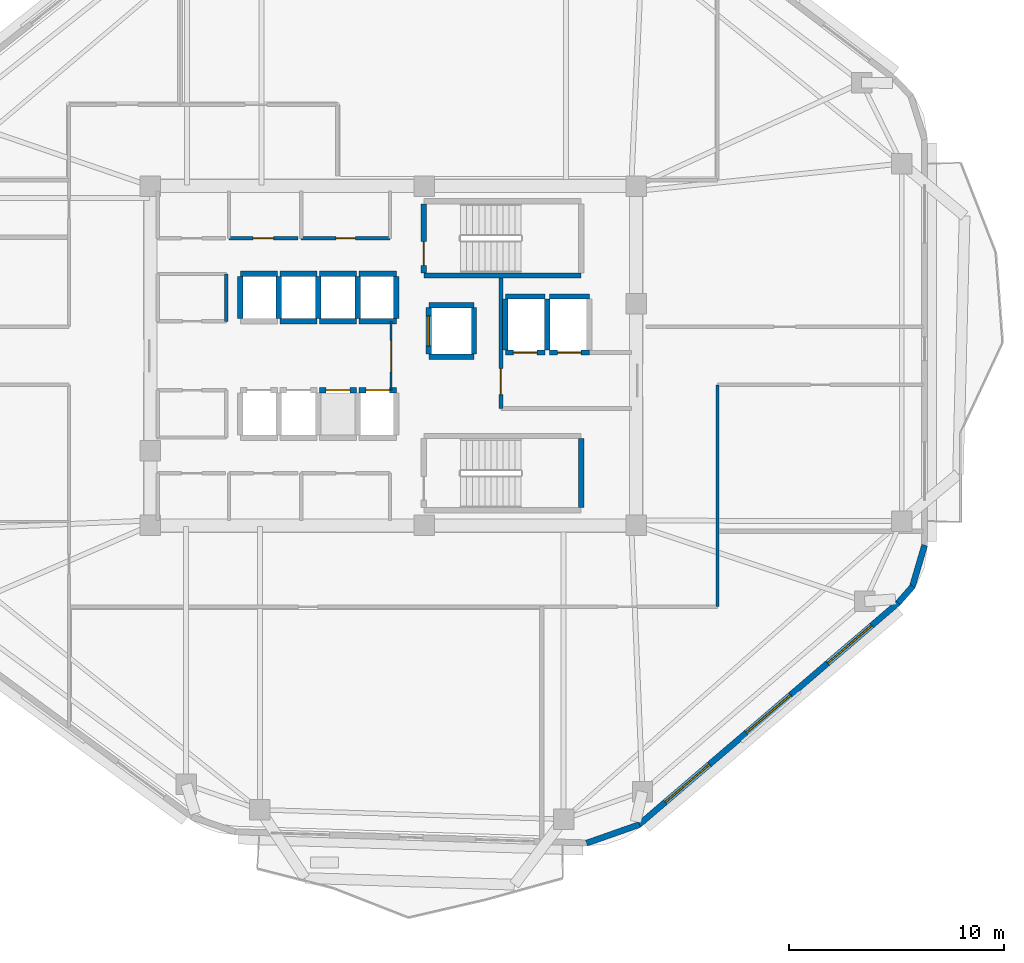
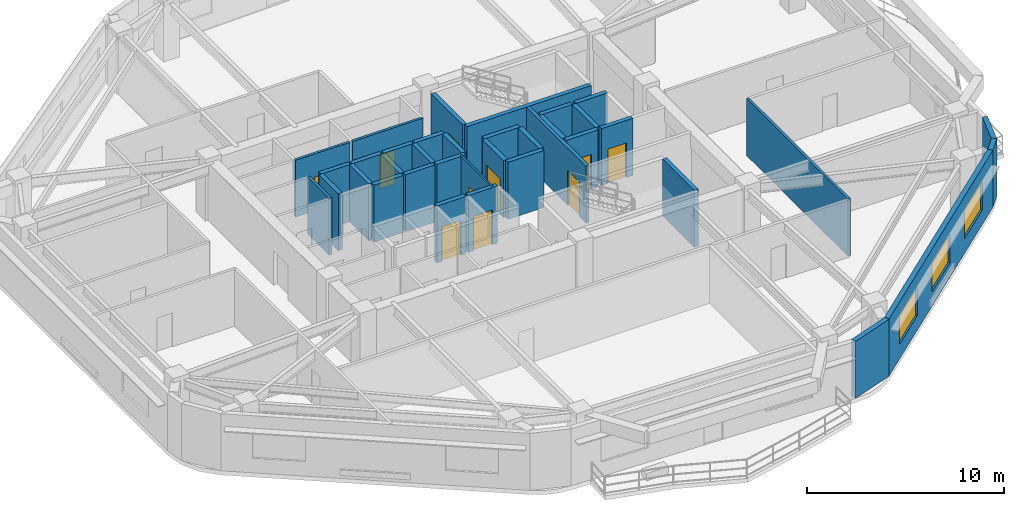
# One storey, part 4 of 9: 37 walls, 10 doors, 3 windows, 13 openings.
"""IFC4 building model written with IfcOpenShell, lengths in metres."""

from ifc_helpers import new_model, si_unit, direction, frame, frame_2d, origin, place, context, subcontext, project, spatial, rectangle, extrude, material, layer, layer_set, type_object, element, fill, save


model = new_model("IFC4")

# Units and contexts
model_context = context("Model", 3, precision=1e-05, world=origin(), true_north=direction((0.0, 1.0)))
body_context = subcontext(model_context, "Body", "Model", "MODEL_VIEW")
ifc_project = project(units=[si_unit("LENGTHUNIT", "METRE"), si_unit("AREAUNIT", "SQUARE_METRE"), si_unit("VOLUMEUNIT", "CUBIC_METRE"), si_unit("PLANEANGLEUNIT", "RADIAN"), si_unit("MASSUNIT", "GRAM", prefix="KILO")], contexts=[model_context])

# Site, building, storey
site_placement = place(None, origin())
site = spatial("IfcSite", under=ifc_project, at=site_placement, CompositionType="ELEMENT")
building_placement = place(site_placement, origin())
building = spatial("IfcBuilding", under=site, at=building_placement, Name="Zulverin Broadcast Headquarters", CompositionType="ELEMENT")
storey_placement = place(building_placement, frame((0.0, 0.0, 159.199951171875)))
storey = spatial("IfcBuildingStorey", under=building, at=storey_placement, Name="L40", CompositionType="ELEMENT", Elevation=159.199951171875)

# Wall, openings, windows
ifc_material_1 = material(Name="Insulated pale-metal clad concrete spandrel C40/50", Category="concrete")
ifc_layer_1 = layer(ifc_material_1, 0.280029296875, Name="Insulated pale-metal clad concrete spandrel C40/50", Category="concrete")
ifc_layer_set_1 = layer_set([ifc_layer_1], Name="Insulated pale-metal clad concrete spandrel C40/50")
wall_type_1 = type_object("IfcWallType", Name="WL-EXT-280", PredefinedType="STANDARD", material=ifc_layer_set_1)
wall_1_placement = place(storey_placement, frame((48.38525390625, 3.413818359375, 0.0), z_axis=(0.0, 0.0, 1.0), x_axis=(0.759700260779, 0.650273414628, 0.0)))
wall_1 = element("IfcWall", 1, at=wall_1_placement, inside=storey, type_object=wall_type_1, Name="L40 Pale-Metal Clad Spandrel Wall 2", PredefinedType="STANDARD", context=body_context, shape_type="SweptSolid", body=[
    extrude(rectangle(XDim=15.880859375, YDim=0.280029296875, at=frame_2d((7.9404296875, 0.0))), origin(), (0.0, 0.0, 1.0), 3.5400390625),
])
opening_1_placement = place(wall_1_placement, frame((1.630126953125, 0.0, 0.89990234375)))
opening_1 = element("IfcOpeningElement", 2, at=opening_1_placement, cuts=wall_1, Name="Opening W-L40-E21", PredefinedType="OPENING", context=body_context, shape_type="SweptSolid", body=[
    extrude(rectangle(XDim=2.699951171875, YDim=1.75, at=frame_2d((1.35009765625, 0.875))), frame((0.0, 0.14990234375, 0.0), z_axis=(0.0, -1.0, 0.0), x_axis=(1.0, 0.0, 0.0)), (0.0, 0.0, 1.0), 0.300048828125),
])
opening_2_placement = place(wall_1_placement, frame((6.59033203125, 0.0, 0.89990234375)))
opening_2 = element("IfcOpeningElement", 3, at=opening_2_placement, cuts=wall_1, Name="Opening W-L40-E22", PredefinedType="OPENING", context=body_context, shape_type="SweptSolid", body=[
    extrude(rectangle(XDim=2.699951171875, YDim=1.75, at=frame_2d((1.35009765625, 0.875))), frame((0.0, 0.14990234375, 0.0), z_axis=(0.0, -1.0, 0.0), x_axis=(1.0, 0.0, 0.0)), (0.0, 0.0, 1.0), 0.300048828125),
])
opening_3_placement = place(wall_1_placement, frame((11.55078125, 0.0, 0.89990234375)))
opening_3 = element("IfcOpeningElement", 4, at=opening_3_placement, cuts=wall_1, Name="Opening W-L40-E23", PredefinedType="OPENING", context=body_context, shape_type="SweptSolid", body=[
    extrude(rectangle(XDim=2.699951171875, YDim=1.75, at=frame_2d((1.35009765625, 0.875))), frame((0.0, 0.14990234375, 0.0), z_axis=(0.0, -1.0, 0.0), x_axis=(1.0, 0.0, 0.0)), (0.0, 0.0, 1.0), 0.300048828125),
])
ifc_material_2 = material(Name="Pale anodized aluminium frame with solar-control low-E double glazing", Category="aluminium")
window_type = type_object("IfcWindowType", Name="WIN-TWR-2700", PartitioningType="SINGLE_PANEL", PredefinedType="WINDOW", material=ifc_material_2)
window_1_placement = place(opening_1_placement, origin())
window_1 = element("IfcWindow", 5, at=window_1_placement, inside=storey, type_object=window_type, Name="L40 Ribbon Glazing Window 2 1", OverallHeight=1.75, OverallWidth=2.699951171875, PartitioningType="SINGLE_PANEL", PredefinedType="WINDOW", context=body_context, shape_type="SweptSolid", body=[
    extrude(rectangle(XDim=2.699951171875, YDim=1.75, at=frame_2d((1.35009765625, 0.875))), frame((0.0, 0.030029296875, 0.0), z_axis=(0.0, -1.0, 0.0), x_axis=(1.0, 0.0, 0.0)), (0.0, 0.0, 1.0), 0.06005859375),
])
fill(opening_1, window_1)
window_2_placement = place(opening_2_placement, origin())
window_2 = element("IfcWindow", 6, at=window_2_placement, inside=storey, type_object=window_type, Name="L40 Ribbon Glazing Window 2 2", OverallHeight=1.75, OverallWidth=2.699951171875, PartitioningType="SINGLE_PANEL", PredefinedType="WINDOW", context=body_context, shape_type="SweptSolid", body=[
    extrude(rectangle(XDim=2.699951171875, YDim=1.75, at=frame_2d((1.35009765625, 0.875))), frame((0.0, 0.030029296875, 0.0), z_axis=(0.0, -1.0, 0.0), x_axis=(1.0, 0.0, 0.0)), (0.0, 0.0, 1.0), 0.06005859375),
])
fill(opening_2, window_2)
window_3_placement = place(opening_3_placement, origin())
window_3 = element("IfcWindow", 7, at=window_3_placement, inside=storey, type_object=window_type, Name="L40 Ribbon Glazing Window 2 3", OverallHeight=1.75, OverallWidth=2.699951171875, PartitioningType="SINGLE_PANEL", PredefinedType="WINDOW", context=body_context, shape_type="SweptSolid", body=[
    extrude(rectangle(XDim=2.699951171875, YDim=1.75, at=frame_2d((1.35009765625, 0.875))), frame((0.0, 0.030029296875, 0.0), z_axis=(0.0, -1.0, 0.0), x_axis=(1.0, 0.0, 0.0)), (0.0, 0.0, 1.0), 0.06005859375),
])
fill(opening_3, window_3)

# Walls
wall_2_placement = place(storey_placement, frame((45.974609375, 2.576416015625, 0.0), z_axis=(0.0, 0.0, 1.0), x_axis=(0.943377643365, 0.331720698781, 0.0)))
element("IfcWall", 8, at=wall_2_placement, inside=storey, type_object=wall_type_1, Name="L40 Wind-Shaped Corner Spandrel Wall 1-1", PredefinedType="STANDARD", context=body_context, shape_type="SweptSolid", body=[
    extrude(rectangle(XDim=2.6025390625, YDim=0.280029296875, at=frame_2d((1.30126953125, 0.0))), origin(), (0.0, 0.0, 1.0), 3.5400390625),
])
wall_3_placement = place(storey_placement, frame((60.435791015625, 13.7265625, 0.0), z_axis=(0.0, 0.0, 1.0), x_axis=(0.658571618609, 0.752518055041, 0.0)))
element("IfcWall", 9, at=wall_3_placement, inside=storey, type_object=wall_type_1, Name="L40 Wind-Shaped Corner Spandrel Wall 2-1", PredefinedType="STANDARD", context=body_context, shape_type="SweptSolid", body=[
    extrude(rectangle(XDim=1.03173828125, YDim=0.280029296875, at=frame_2d((0.515869140625, 0.0))), origin(), (0.0, 0.0, 1.0), 3.5400390625),
])
wall_4_placement = place(storey_placement, frame((61.08642578125, 14.450439453125, 0.0), z_axis=(0.0, 0.0, 1.0), x_axis=(0.283660953453, 0.958924639107, 0.0)))
element("IfcWall", 10, at=wall_4_placement, inside=storey, type_object=wall_type_1, Name="L40 Wind-Shaped Corner Spandrel Wall 2-2", PredefinedType="STANDARD", context=body_context, shape_type="SweptSolid", body=[
    extrude(rectangle(XDim=2.04248046875, YDim=0.280029296875, at=frame_2d((1.021240234375, 0.0))), origin(), (0.0, 0.0, 1.0), 3.5400390625),
])

# Wall, opening, door
ifc_material_3 = material(Name="Concrete C40/50", Category="concrete")
ifc_layer_2 = layer(ifc_material_3, 0.199951171875, Name="Concrete C40/50", Category="concrete")
ifc_layer_set_2 = layer_set([ifc_layer_2], Name="Concrete C40/50")
wall_type_2 = type_object("IfcWallType", Name="WL-FFL-200", PredefinedType="SOLIDWALL", material=ifc_layer_set_2)
wall_5_placement = place(storey_placement, frame((42.0, 22.75, 0.0), z_axis=(0.0, 0.0, 1.0), x_axis=(0.0, 1.0, 0.0)))
wall_5 = element("IfcWall", 11, at=wall_5_placement, inside=storey, type_object=wall_type_2, Name="L40 Firefighting Lift Lobby West Wall", PredefinedType="SOLIDWALL", context=body_context, shape_type="SweptSolid", body=[
    extrude(rectangle(XDim=6.050048828125, YDim=0.199951171875, at=frame_2d((3.02490234375, 0.0))), origin(), (0.0, 0.0, 1.0), 3.5400390625),
])
opening_4_placement = place(wall_5_placement, frame((0.64990234375, 0.0, 0.0)))
opening_4 = element("IfcOpeningElement", 12, at=opening_4_placement, cuts=wall_5, Name="Opening D-L40-FFLW", PredefinedType="OPENING", context=body_context, shape_type="SweptSolid", body=[
    extrude(rectangle(XDim=1.199951171875, YDim=2.14990234375, at=frame_2d((0.60009765625, 1.074951171875))), frame((0.0, 0.10986328125, 0.0), z_axis=(0.0, -1.0, 0.0), x_axis=(1.0, 0.0, 0.0)), (0.0, 0.0, 1.0), 0.219970703125),
])
ifc_material_4 = material(Name="Fire-rated steel leaf and frame", Category="steel")
door_type_1 = type_object("IfcDoorType", Name="DR-FFL-1200", OperationType="SINGLE_SWING_RIGHT", PredefinedType="DOOR", material=ifc_material_4)
door_1_placement = place(opening_4_placement, origin())
door_1 = element("IfcDoor", 13, at=door_1_placement, inside=storey, type_object=door_type_1, Name="L40 Firefighting Lift Lobby Door", OperationType="SINGLE_SWING_RIGHT", OverallHeight=2.14990234375, OverallWidth=1.199951171875, PredefinedType="DOOR", context=body_context, shape_type="SweptSolid", body=[
    extrude(rectangle(XDim=1.199951171875, YDim=2.14990234375, at=frame_2d((0.60009765625, 1.074951171875))), frame((0.0, 0.02490234375, 0.0), z_axis=(0.0, -1.0, 0.0), x_axis=(1.0, 0.0, 0.0)), (0.0, 0.0, 1.0), 0.050048828125),
])
fill(opening_4, door_1)

ifc_material_5 = material(Name="Fire-rated acoustic laminated glass screen", Category="glass")
ifc_layer_3 = layer(ifc_material_5, 0.10009765625, Name="Fire-rated acoustic laminated glass screen", Category="glass")
ifc_layer_set_3 = layer_set([ifc_layer_3], Name="Fire-rated acoustic laminated glass screen")
wall_type_3 = type_object("IfcWallType", Name="WL-GLAZ-100", PredefinedType="PARTITIONING", material=ifc_layer_set_3)
wall_6_placement = place(storey_placement, frame((36.89990234375, 23.60009765625, 0.0), z_axis=(0.0, 0.0, 1.0), x_axis=(0.0, 1.0, 0.0)))
wall_6 = element("IfcWall", 14, at=wall_6_placement, inside=storey, type_object=wall_type_3, Name="L40 Core Goods & Stair Hall Screen", PredefinedType="PARTITIONING", context=body_context, shape_type="SweptSolid", body=[
    extrude(rectangle(XDim=3.199951171875, YDim=0.10009765625, at=frame_2d((1.60009765625, 0.0))), origin(), (0.0, 0.0, 1.0), 3.5400390625),
])
opening_5_placement = place(wall_6_placement, frame((0.85009765625, 0.0, 0.0)))
opening_5 = element("IfcOpeningElement", 15, at=opening_5_placement, cuts=wall_6, Name="Opening D-L40-CL3", PredefinedType="OPENING", context=body_context, shape_type="SweptSolid", body=[
    extrude(rectangle(XDim=1.449951171875, YDim=2.1201171875, at=frame_2d((0.72509765625, 1.06005859375))), frame((0.0, 0.06005859375, 0.0), z_axis=(0.0, -1.0, 0.0), x_axis=(1.0, 0.0, 0.0)), (0.0, 0.0, 1.0), 0.1201171875),
])
ifc_material_6 = material(Name="Fire-rated acoustic glazed double leaf", Category="glass")
door_type_2 = type_object("IfcDoorType", Name="DR-GLZ-1450", OperationType="DOUBLE_DOOR_SINGLE_SWING", PredefinedType="DOOR", material=ifc_material_6)
door_2_placement = place(opening_5_placement, origin())
door_2 = element("IfcDoor", 16, at=door_2_placement, inside=storey, type_object=door_type_2, Name="L40 Core Goods & Stair Hall Door", OperationType="DOUBLE_DOOR_SINGLE_SWING", OverallHeight=2.1201171875, OverallWidth=1.449951171875, PredefinedType="DOOR", context=body_context, shape_type="SweptSolid", body=[
    extrude(rectangle(XDim=1.449951171875, YDim=2.1201171875, at=frame_2d((0.72509765625, 1.06005859375))), frame((0.0, 0.02490234375, 0.0), z_axis=(0.0, -1.0, 0.0), x_axis=(1.0, 0.0, 0.0)), (0.0, 0.0, 1.0), 0.050048828125),
])
fill(opening_5, door_2)

ifc_material_7 = material(Name="Fire-rated gypsum stud partition", Category="gypsum")
ifc_layer_4 = layer(ifc_material_7, 0.14990234375, Name="Fire-rated gypsum stud partition", Category="gypsum")
ifc_layer_set_4 = layer_set([ifc_layer_4], Name="Fire-rated gypsum stud partition")
wall_type_4 = type_object("IfcWallType", Name="WL-PART-150", PredefinedType="PARTITIONING", material=ifc_layer_set_4)
wall_7_placement = place(storey_placement, frame((29.3798828125, 30.64990234375, 0.0), z_axis=(0.0, 0.0, 1.0), x_axis=(1.0, 0.0, 0.0)))
wall_7 = element("IfcWall", 17, at=wall_7_placement, inside=storey, type_object=wall_type_4, Name="L40 Core Accessible WC Front Wall", PredefinedType="PARTITIONING", context=body_context, shape_type="SweptSolid", body=[
    extrude(rectangle(XDim=3.190185546875, YDim=0.14990234375, at=frame_2d((1.59521484375, 0.0))), origin(), (0.0, 0.0, 1.0), 3.5400390625),
])
opening_6_placement = place(wall_7_placement, frame((1.1201171875, 0.0, 0.0)))
opening_6 = element("IfcOpeningElement", 18, at=opening_6_placement, cuts=wall_7, Name="Opening D-L40-NC2", PredefinedType="OPENING", context=body_context, shape_type="SweptSolid", body=[
    extrude(rectangle(XDim=0.949951171875, YDim=2.10009765625, at=frame_2d((0.47509765625, 1.050048828125))), frame((0.0, 0.0849609375, 0.0), z_axis=(0.0, -1.0, 0.0), x_axis=(1.0, 0.0, 0.0)), (0.0, 0.0, 1.0), 0.169921875),
])
ifc_material_8 = material(Name="Fire-rated moisture-resistant laminate leaf", Category="wood")
door_type_3 = type_object("IfcDoorType", Name="DR-WC-950", OperationType="SINGLE_SWING_LEFT", PredefinedType="DOOR", material=ifc_material_8)
door_3_placement = place(opening_6_placement, origin())
door_3 = element("IfcDoor", 19, at=door_3_placement, inside=storey, type_object=door_type_3, Name="L40 Accessible WC Door", OperationType="SINGLE_SWING_RIGHT", OverallHeight=2.10009765625, OverallWidth=0.949951171875, PredefinedType="DOOR", context=body_context, shape_type="SweptSolid", body=[
    extrude(rectangle(XDim=0.949951171875, YDim=2.10009765625, at=frame_2d((0.47509765625, 1.050048828125))), frame((0.0, 0.02490234375, 0.0), z_axis=(0.0, -1.0, 0.0), x_axis=(1.0, 0.0, 0.0)), (0.0, 0.0, 1.0), 0.050048828125),
])
fill(opening_6, door_3)

wall_8_placement = place(storey_placement, frame((32.72998046875, 30.64990234375, 0.0), z_axis=(0.0, 0.0, 1.0), x_axis=(1.0, 0.0, 0.0)))
wall_8 = element("IfcWall", 20, at=wall_8_placement, inside=storey, type_object=wall_type_4, Name="L40 Core Electrical Distribution Riser Front Wall", PredefinedType="PARTITIONING", context=body_context, shape_type="SweptSolid", body=[
    extrude(rectangle(XDim=4.1201171875, YDim=0.14990234375, at=frame_2d((2.06005859375, 0.0))), origin(), (0.0, 0.0, 1.0), 3.5400390625),
])
opening_7_placement = place(wall_8_placement, frame((1.610107421875, 0.0, 0.0)))
opening_7 = element("IfcOpeningElement", 21, at=opening_7_placement, cuts=wall_8, Name="Opening D-L40-NC3", PredefinedType="OPENING", context=body_context, shape_type="SweptSolid", body=[
    extrude(rectangle(XDim=0.89990234375, YDim=2.10009765625, at=frame_2d((0.449951171875, 1.050048828125))), frame((0.0, 0.0849609375, 0.0), z_axis=(0.0, -1.0, 0.0), x_axis=(1.0, 0.0, 0.0)), (0.0, 0.0, 1.0), 0.169921875),
])
ifc_material_9 = material(Name="Powder-coated steel access leaf", Category="steel")
door_type_4 = type_object("IfcDoorType", Name="DR-RISER-900", OperationType="SINGLE_SWING_LEFT", PredefinedType="DOOR", material=ifc_material_9)
door_4_placement = place(opening_7_placement, origin())
door_4 = element("IfcDoor", 22, at=door_4_placement, inside=storey, type_object=door_type_4, Name="L40 Electrical Distribution Riser Door", OperationType="SINGLE_SWING_LEFT", OverallHeight=2.10009765625, OverallWidth=0.89990234375, PredefinedType="DOOR", context=body_context, shape_type="SweptSolid", body=[
    extrude(rectangle(XDim=0.89990234375, YDim=2.10009765625, at=frame_2d((0.449951171875, 1.050048828125))), frame((0.0, 0.02490234375, 0.0), z_axis=(0.0, -1.0, 0.0), x_axis=(1.0, 0.0, 0.0)), (0.0, 0.0, 1.0), 0.050048828125),
])
fill(opening_7, door_4)

# Walls
wall_9_placement = place(storey_placement, frame((29.25, 26.800048828125, 0.0), z_axis=(0.0, 0.0, 1.0), x_axis=(0.0, 1.0, 0.0)))
element("IfcWall", 23, at=wall_9_placement, inside=storey, type_object=wall_type_4, Name="L40 Core UPS Battery Store E Wall", PredefinedType="PARTITIONING", context=body_context, shape_type="SweptSolid", body=[
    extrude(rectangle(XDim=2.199951171875, YDim=0.14990234375, at=frame_2d((1.10009765625, 0.0))), origin(), (0.0, 0.0, 1.0), 3.5400390625),
])
wall_10_placement = place(storey_placement, frame((52.050048828125, 13.550048828125, 0.0), z_axis=(0.0, 0.0, 1.0), x_axis=(0.0, 1.0, 0.0)))
element("IfcWall", 24, at=wall_10_placement, inside=storey, type_object=wall_type_4, Name="L40 Gallery Partition Wall CG-01", PredefinedType="PARTITIONING", context=body_context, shape_type="SweptSolid", body=[
    extrude(rectangle(XDim=10.300048828125, YDim=0.14990234375, at=frame_2d((5.14990234375, 0.0))), origin(), (0.0, 0.0, 1.0), 3.5400390625),
])
ifc_material_10 = material(Name="Concrete C50/60", Category="concrete")
ifc_layer_5 = layer(ifc_material_10, 0.25, Name="Concrete C50/60", Category="concrete")
ifc_layer_set_5 = layer_set([ifc_layer_5], Name="Concrete C50/60")
wall_type_5 = type_object("IfcWallType", Name="WL-SHAFT-250", PredefinedType="SHEAR", material=ifc_layer_set_5)
wall_11_placement = place(storey_placement, frame((38.425048828125, 28.925048828125, 0.0), z_axis=(0.0, 0.0, 1.0), x_axis=(1.0, 0.0, 0.0)))
element("IfcWall", 25, at=wall_11_placement, inside=storey, type_object=wall_type_5, Name="L40 ST-1 Enclosure Wall S", PredefinedType="SHEAR", context=body_context, shape_type="SweptSolid", body=[
    extrude(rectangle(XDim=7.300048828125, YDim=0.25, at=frame_2d((3.64990234375, 0.0))), origin(), (0.0, 0.0, 1.0), 3.5400390625),
])

# Wall, opening, door
wall_12_placement = place(storey_placement, frame((38.425048828125, 29.050048828125, 0.0), z_axis=(0.0, 0.0, 1.0), x_axis=(0.0, 1.0, 0.0)))
wall_12 = element("IfcWall", 26, at=wall_12_placement, inside=storey, type_object=wall_type_5, Name="L40 ST-1 Enclosure Wall W", PredefinedType="SHEAR", context=body_context, shape_type="SweptSolid", body=[
    extrude(rectangle(XDim=3.199951171875, YDim=0.25, at=frame_2d((1.60009765625, 0.0))), origin(), (0.0, 0.0, 1.0), 3.5400390625),
])
opening_8_placement = place(wall_12_placement, frame((0.35009765625, 0.0, 0.0)))
opening_8 = element("IfcOpeningElement", 27, at=opening_8_placement, cuts=wall_12, Name="Opening D-L40-ST-1", PredefinedType="OPENING", context=body_context, shape_type="SweptSolid", body=[
    extrude(rectangle(XDim=1.10009765625, YDim=2.14990234375, at=frame_2d((0.550048828125, 1.074951171875))), frame((0.0, 0.135009765625, 0.0), z_axis=(0.0, -1.0, 0.0), x_axis=(1.0, 0.0, 0.0)), (0.0, 0.0, 1.0), 0.27001953125),
])
door_type_5 = type_object("IfcDoorType", Name="DR-STAIR-1100", OperationType="SINGLE_SWING_LEFT", PredefinedType="DOOR", material=ifc_material_4)
door_5_placement = place(opening_8_placement, origin())
door_5 = element("IfcDoor", 28, at=door_5_placement, inside=storey, type_object=door_type_5, Name="L40 Exit Stair ST-1 Fire Door", OperationType="SINGLE_SWING_LEFT", OverallHeight=2.14990234375, OverallWidth=1.10009765625, PredefinedType="DOOR", context=body_context, shape_type="SweptSolid", body=[
    extrude(rectangle(XDim=1.10009765625, YDim=2.14990234375, at=frame_2d((0.550048828125, 1.074951171875))), frame((0.0, 0.02490234375, 0.0), z_axis=(0.0, -1.0, 0.0), x_axis=(1.0, 0.0, 0.0)), (0.0, 0.0, 1.0), 0.050048828125),
])
fill(opening_8, door_5)

# Wall
wall_13_placement = place(storey_placement, frame((45.72509765625, 18.14990234375, 0.0), z_axis=(0.0, 0.0, 1.0), x_axis=(0.0, 1.0, 0.0)))
element("IfcWall", 29, at=wall_13_placement, inside=storey, type_object=wall_type_5, Name="L40 ST-2 Enclosure Wall E", PredefinedType="SHEAR", context=body_context, shape_type="SweptSolid", body=[
    extrude(rectangle(XDim=3.2001953125, YDim=0.25, at=frame_2d((1.60009765625, 0.0))), origin(), (0.0, 0.0, 1.0), 3.5400390625),
])

# Wall, opening, door
wall_14_placement = place(storey_placement, frame((33.580078125, 23.60009765625, 0.0), z_axis=(0.0, 0.0, 1.0), x_axis=(1.0, 0.0, 0.0)))
wall_14 = element("IfcWall", 30, at=wall_14_placement, inside=storey, type_object=wall_type_5, Name="L40 Lift PL-M3 Shaft Wall N", PredefinedType="SHEAR", context=body_context, shape_type="SweptSolid", body=[
    extrude(rectangle(XDim=1.719970703125, YDim=0.25, at=frame_2d((0.85986328125, 0.0))), origin(), (0.0, 0.0, 1.0), 3.5400390625),
])
opening_9_placement = place(wall_14_placement, frame((0.31005859375, 0.0, 0.0)))
opening_9 = element("IfcOpeningElement", 31, at=opening_9_placement, cuts=wall_14, Name="Opening LD-PL-M3-L40", PredefinedType="OPENING", context=body_context, shape_type="SweptSolid", body=[
    extrude(rectangle(XDim=1.10009765625, YDim=2.14990234375, at=frame_2d((0.550048828125, 1.074951171875))), frame((0.0, 0.135009765625, 0.0), z_axis=(0.0, -1.0, 0.0), x_axis=(1.0, 0.0, 0.0)), (0.0, 0.0, 1.0), 0.27001953125),
])
ifc_material_11 = material(Name="Brushed stainless steel landing", Category="steel")
door_type_6 = type_object("IfcDoorType", Name="LD-PASS-1100", OperationType="DOUBLE_DOOR_SLIDING", PredefinedType="DOOR", material=ifc_material_11)
door_6_placement = place(opening_9_placement, origin())
door_6 = element("IfcDoor", 32, at=door_6_placement, inside=storey, type_object=door_type_6, Name="L40 Lift PL-M3 Sliding Landing Door", OperationType="DOUBLE_DOOR_SLIDING", OverallHeight=2.14990234375, OverallWidth=1.10009765625, PredefinedType="DOOR", context=body_context, shape_type="SweptSolid", body=[
    extrude(rectangle(XDim=1.10009765625, YDim=2.14990234375, at=frame_2d((0.550048828125, 1.074951171875))), frame((0.0, 0.02490234375, 0.0), z_axis=(0.0, -1.0, 0.0), x_axis=(1.0, 0.0, 0.0)), (0.0, 0.0, 1.0), 0.050048828125),
])
fill(opening_9, door_6)

wall_15_placement = place(storey_placement, frame((35.419921875, 23.60009765625, 0.0), z_axis=(0.0, 0.0, 1.0), x_axis=(1.0, 0.0, 0.0)))
wall_15 = element("IfcWall", 33, at=wall_15_placement, inside=storey, type_object=wall_type_5, Name="L40 Lift PL-M4 Shaft Wall N", PredefinedType="SHEAR", context=body_context, shape_type="SweptSolid", body=[
    extrude(rectangle(XDim=1.719970703125, YDim=0.25, at=frame_2d((0.85986328125, 0.0))), origin(), (0.0, 0.0, 1.0), 3.5400390625),
])
opening_10_placement = place(wall_15_placement, frame((0.31005859375, 0.0, 0.0)))
opening_10 = element("IfcOpeningElement", 34, at=opening_10_placement, cuts=wall_15, Name="Opening LD-PL-M4-L40", PredefinedType="OPENING", context=body_context, shape_type="SweptSolid", body=[
    extrude(rectangle(XDim=1.10009765625, YDim=2.14990234375, at=frame_2d((0.550048828125, 1.074951171875))), frame((0.0, 0.135009765625, 0.0), z_axis=(0.0, -1.0, 0.0), x_axis=(1.0, 0.0, 0.0)), (0.0, 0.0, 1.0), 0.27001953125),
])
door_7_placement = place(opening_10_placement, origin())
door_7 = element("IfcDoor", 35, at=door_7_placement, inside=storey, type_object=door_type_6, Name="L40 Lift PL-M4 Sliding Landing Door", OperationType="DOUBLE_DOOR_SLIDING", OverallHeight=2.14990234375, OverallWidth=1.10009765625, PredefinedType="DOOR", context=body_context, shape_type="SweptSolid", body=[
    extrude(rectangle(XDim=1.10009765625, YDim=2.14990234375, at=frame_2d((0.550048828125, 1.074951171875))), frame((0.0, 0.02490234375, 0.0), z_axis=(0.0, -1.0, 0.0), x_axis=(1.0, 0.0, 0.0)), (0.0, 0.0, 1.0), 0.050048828125),
])
fill(opening_10, door_7)

# Walls
wall_16_placement = place(storey_placement, frame((29.89990234375, 29.0, 0.0), z_axis=(0.0, 0.0, 1.0), x_axis=(1.0, 0.0, 0.0)))
element("IfcWall", 36, at=wall_16_placement, inside=storey, type_object=wall_type_5, Name="L40 Lift PL-H1 Shaft Wall N", PredefinedType="SHEAR", context=body_context, shape_type="SweptSolid", body=[
    extrude(rectangle(XDim=1.72021484375, YDim=0.25, at=frame_2d((0.860107421875, 0.0))), origin(), (0.0, 0.0, 1.0), 3.5400390625),
])
for number, where, z_axis, x_axis, name in (
    (37, (29.89990234375, 26.919921875, 0.0), (0.0, 0.0, 1.0), (0.0, 1.0, 0.0), "L40 Lift PL-H1 Shaft Wall W"),
    (38, (31.679931640625, 26.919921875, 0.0), (0.0, 0.0, 1.0), (0.0, 1.0, 0.0), "L40 Lift PL-H1 Shaft Wall E"),
):
    element("IfcWall", number, at=place(storey_placement, frame(where, z_axis=z_axis, x_axis=x_axis)), inside=storey, type_object=wall_type_5, Name=name, PredefinedType="SHEAR", context=body_context, shape_type="SweptSolid", body=[
        extrude(rectangle(XDim=1.9599609375, YDim=0.25, at=frame_2d((0.97998046875, 0.0))), origin(), (0.0, 0.0, 1.0), 3.5400390625),
    ])
for number, where, z_axis, x_axis, name in (
    (39, (31.739990234375, 26.800048828125, 0.0), (0.0, 0.0, 1.0), (1.0, 0.0, 0.0), "L40 Lift PL-H2 Shaft Wall S"),
    (40, (31.739990234375, 29.0, 0.0), (0.0, 0.0, 1.0), (1.0, 0.0, 0.0), "L40 Lift PL-H2 Shaft Wall N"),
):
    element("IfcWall", number, at=place(storey_placement, frame(where, z_axis=z_axis, x_axis=x_axis)), inside=storey, type_object=wall_type_5, Name=name, PredefinedType="SHEAR", context=body_context, shape_type="SweptSolid", body=[
        extrude(rectangle(XDim=1.719970703125, YDim=0.25, at=frame_2d((0.85986328125, 0.0))), origin(), (0.0, 0.0, 1.0), 3.5400390625),
    ])
wall_17_placement = place(storey_placement, frame((33.52001953125, 26.919921875, 0.0), z_axis=(0.0, 0.0, 1.0), x_axis=(0.0, 1.0, 0.0)))
element("IfcWall", 41, at=wall_17_placement, inside=storey, type_object=wall_type_5, Name="L40 Lift PL-H2 Shaft Wall E", PredefinedType="SHEAR", context=body_context, shape_type="SweptSolid", body=[
    extrude(rectangle(XDim=1.9599609375, YDim=0.25, at=frame_2d((0.97998046875, 0.0))), origin(), (0.0, 0.0, 1.0), 3.5400390625),
])
for number, where, z_axis, x_axis, name in (
    (42, (33.580078125, 26.800048828125, 0.0), (0.0, 0.0, 1.0), (1.0, 0.0, 0.0), "L40 Lift PL-H3 Shaft Wall S"),
    (43, (33.580078125, 29.0, 0.0), (0.0, 0.0, 1.0), (1.0, 0.0, 0.0), "L40 Lift PL-H3 Shaft Wall N"),
):
    element("IfcWall", number, at=place(storey_placement, frame(where, z_axis=z_axis, x_axis=x_axis)), inside=storey, type_object=wall_type_5, Name=name, PredefinedType="SHEAR", context=body_context, shape_type="SweptSolid", body=[
        extrude(rectangle(XDim=1.719970703125, YDim=0.25, at=frame_2d((0.85986328125, 0.0))), origin(), (0.0, 0.0, 1.0), 3.5400390625),
    ])
wall_18_placement = place(storey_placement, frame((35.360107421875, 26.919921875, 0.0), z_axis=(0.0, 0.0, 1.0), x_axis=(0.0, 1.0, 0.0)))
element("IfcWall", 44, at=wall_18_placement, inside=storey, type_object=wall_type_5, Name="L40 Lift PL-H3 Shaft Wall E", PredefinedType="SHEAR", context=body_context, shape_type="SweptSolid", body=[
    extrude(rectangle(XDim=1.9599609375, YDim=0.25, at=frame_2d((0.97998046875, 0.0))), origin(), (0.0, 0.0, 1.0), 3.5400390625),
])
for number, where, z_axis, x_axis, name in (
    (45, (35.419921875, 26.800048828125, 0.0), (0.0, 0.0, 1.0), (1.0, 0.0, 0.0), "L40 Lift PL-H4 Shaft Wall S"),
    (46, (35.419921875, 29.0, 0.0), (0.0, 0.0, 1.0), (1.0, 0.0, 0.0), "L40 Lift PL-H4 Shaft Wall N"),
):
    element("IfcWall", number, at=place(storey_placement, frame(where, z_axis=z_axis, x_axis=x_axis)), inside=storey, type_object=wall_type_5, Name=name, PredefinedType="SHEAR", context=body_context, shape_type="SweptSolid", body=[
        extrude(rectangle(XDim=1.719970703125, YDim=0.25, at=frame_2d((0.85986328125, 0.0))), origin(), (0.0, 0.0, 1.0), 3.5400390625),
    ])
wall_19_placement = place(storey_placement, frame((37.139892578125, 26.919921875, 0.0), z_axis=(0.0, 0.0, 1.0), x_axis=(0.0, 1.0, 0.0)))
element("IfcWall", 47, at=wall_19_placement, inside=storey, type_object=wall_type_5, Name="L40 Lift PL-H4 Shaft Wall E", PredefinedType="SHEAR", context=body_context, shape_type="SweptSolid", body=[
    extrude(rectangle(XDim=1.9599609375, YDim=0.25, at=frame_2d((0.97998046875, 0.0))), origin(), (0.0, 0.0, 1.0), 3.5400390625),
])

# Wall, opening, door
wall_20_placement = place(storey_placement, frame((42.199951171875, 25.35009765625, 0.0), z_axis=(0.0, 0.0, 1.0), x_axis=(1.0, 0.0, 0.0)))
wall_20 = element("IfcWall", 48, at=wall_20_placement, inside=storey, type_object=wall_type_5, Name="L40 Lift FFL-1 Shaft Wall S", PredefinedType="SHEAR", context=body_context, shape_type="SweptSolid", body=[
    extrude(rectangle(XDim=1.85009765625, YDim=0.25, at=frame_2d((0.925048828125, 0.0))), origin(), (0.0, 0.0, 1.0), 3.5400390625),
])
opening_11_placement = place(wall_20_placement, frame((0.375, 0.0, 0.0)))
opening_11 = element("IfcOpeningElement", 49, at=opening_11_placement, cuts=wall_20, Name="Opening LD-FFL-1-L40", PredefinedType="OPENING", context=body_context, shape_type="SweptSolid", body=[
    extrude(rectangle(XDim=1.10009765625, YDim=2.14990234375, at=frame_2d((0.550048828125, 1.074951171875))), frame((0.0, 0.135009765625, 0.0), z_axis=(0.0, -1.0, 0.0), x_axis=(1.0, 0.0, 0.0)), (0.0, 0.0, 1.0), 0.27001953125),
])
ifc_material_12 = material(Name="Fire-rated stainless landing door", Category="steel")
door_type_7 = type_object("IfcDoorType", Name="LD-FFL-1100", OperationType="DOUBLE_DOOR_SLIDING", PredefinedType="DOOR", material=ifc_material_12)
door_8_placement = place(opening_11_placement, origin())
door_8 = element("IfcDoor", 50, at=door_8_placement, inside=storey, type_object=door_type_7, Name="L40 Lift FFL-1 Sliding Landing Door", OperationType="DOUBLE_DOOR_SLIDING", OverallHeight=2.14990234375, OverallWidth=1.10009765625, PredefinedType="DOOR", context=body_context, shape_type="SweptSolid", body=[
    extrude(rectangle(XDim=1.10009765625, YDim=2.14990234375, at=frame_2d((0.550048828125, 1.074951171875))), frame((0.0, 0.02490234375, 0.0), z_axis=(0.0, -1.0, 0.0), x_axis=(1.0, 0.0, 0.0)), (0.0, 0.0, 1.0), 0.050048828125),
])
fill(opening_11, door_8)

# Walls
wall_21_placement = place(storey_placement, frame((42.199951171875, 27.949951171875, 0.0), z_axis=(0.0, 0.0, 1.0), x_axis=(1.0, 0.0, 0.0)))
element("IfcWall", 51, at=wall_21_placement, inside=storey, type_object=wall_type_5, Name="L40 Lift FFL-1 Shaft Wall N", PredefinedType="SHEAR", context=body_context, shape_type="SweptSolid", body=[
    extrude(rectangle(XDim=1.85009765625, YDim=0.25, at=frame_2d((0.925048828125, 0.0))), origin(), (0.0, 0.0, 1.0), 3.5400390625),
])
for number, where, z_axis, x_axis, name in (
    (52, (42.199951171875, 25.469970703125, 0.0), (0.0, 0.0, 1.0), (0.0, 1.0, 0.0), "L40 Lift FFL-1 Shaft Wall W"),
    (53, (44.14990234375, 25.469970703125, 0.0), (0.0, 0.0, 1.0), (0.0, 1.0, 0.0), "L40 Lift FFL-1 Shaft Wall E"),
):
    element("IfcWall", number, at=place(storey_placement, frame(where, z_axis=z_axis, x_axis=x_axis)), inside=storey, type_object=wall_type_5, Name=name, PredefinedType="SHEAR", context=body_context, shape_type="SweptSolid", body=[
        extrude(rectangle(XDim=2.360107421875, YDim=0.25, at=frame_2d((1.18017578125, 0.0))), origin(), (0.0, 0.0, 1.0), 3.5400390625),
    ])

# Wall, opening, door
wall_22_placement = place(storey_placement, frame((44.25, 25.35009765625, 0.0), z_axis=(0.0, 0.0, 1.0), x_axis=(1.0, 0.0, 0.0)))
wall_22 = element("IfcWall", 54, at=wall_22_placement, inside=storey, type_object=wall_type_5, Name="L40 Lift FFL-2 Shaft Wall S", PredefinedType="SHEAR", context=body_context, shape_type="SweptSolid", body=[
    extrude(rectangle(XDim=1.85009765625, YDim=0.25, at=frame_2d((0.925048828125, 0.0))), origin(), (0.0, 0.0, 1.0), 3.5400390625),
])
opening_12_placement = place(wall_22_placement, frame((0.375, 0.0, 0.0)))
opening_12 = element("IfcOpeningElement", 55, at=opening_12_placement, cuts=wall_22, Name="Opening LD-FFL-2-L40", PredefinedType="OPENING", context=body_context, shape_type="SweptSolid", body=[
    extrude(rectangle(XDim=1.10009765625, YDim=2.14990234375, at=frame_2d((0.550048828125, 1.074951171875))), frame((0.0, 0.135009765625, 0.0), z_axis=(0.0, -1.0, 0.0), x_axis=(1.0, 0.0, 0.0)), (0.0, 0.0, 1.0), 0.27001953125),
])
door_9_placement = place(opening_12_placement, origin())
door_9 = element("IfcDoor", 56, at=door_9_placement, inside=storey, type_object=door_type_7, Name="L40 Lift FFL-2 Sliding Landing Door", OperationType="DOUBLE_DOOR_SLIDING", OverallHeight=2.14990234375, OverallWidth=1.10009765625, PredefinedType="DOOR", context=body_context, shape_type="SweptSolid", body=[
    extrude(rectangle(XDim=1.10009765625, YDim=2.14990234375, at=frame_2d((0.550048828125, 1.074951171875))), frame((0.0, 0.02490234375, 0.0), z_axis=(0.0, -1.0, 0.0), x_axis=(1.0, 0.0, 0.0)), (0.0, 0.0, 1.0), 0.050048828125),
])
fill(opening_12, door_9)

# Walls
wall_23_placement = place(storey_placement, frame((44.25, 27.949951171875, 0.0), z_axis=(0.0, 0.0, 1.0), x_axis=(1.0, 0.0, 0.0)))
element("IfcWall", 57, at=wall_23_placement, inside=storey, type_object=wall_type_5, Name="L40 Lift FFL-2 Shaft Wall N", PredefinedType="SHEAR", context=body_context, shape_type="SweptSolid", body=[
    extrude(rectangle(XDim=1.85009765625, YDim=0.25, at=frame_2d((0.925048828125, 0.0))), origin(), (0.0, 0.0, 1.0), 3.5400390625),
])
for number, where, z_axis, x_axis, name in (
    (58, (38.64990234375, 25.14990234375, 0.0), (0.0, 0.0, 1.0), (1.0, 0.0, 0.0), "L40 Lift SVL-1 Shaft Wall S"),
    (59, (38.64990234375, 27.550048828125, 0.0), (0.0, 0.0, 1.0), (1.0, 0.0, 0.0), "L40 Lift SVL-1 Shaft Wall N"),
):
    element("IfcWall", number, at=place(storey_placement, frame(where, z_axis=z_axis, x_axis=x_axis)), inside=storey, type_object=wall_type_5, Name=name, PredefinedType="SHEAR", context=body_context, shape_type="SweptSolid", body=[
        extrude(rectangle(XDim=2.10009765625, YDim=0.25, at=frame_2d((1.050048828125, 0.0))), origin(), (0.0, 0.0, 1.0), 3.5400390625),
    ])

# Wall, opening, door
wall_24_placement = place(storey_placement, frame((38.64990234375, 25.27001953125, 0.0), z_axis=(0.0, 0.0, 1.0), x_axis=(0.0, 1.0, 0.0)))
wall_24 = element("IfcWall", 60, at=wall_24_placement, inside=storey, type_object=wall_type_5, Name="L40 Lift SVL-1 Shaft Wall W", PredefinedType="SHEAR", context=body_context, shape_type="SweptSolid", body=[
    extrude(rectangle(XDim=2.159912109375, YDim=0.25, at=frame_2d((1.080078125, 0.0))), origin(), (0.0, 0.0, 1.0), 3.5400390625),
])
opening_13_placement = place(wall_24_placement, frame((0.3798828125, 0.0, 0.0)))
opening_13 = element("IfcOpeningElement", 61, at=opening_13_placement, cuts=wall_24, Name="Opening LD-SVL-1-L40", PredefinedType="OPENING", context=body_context, shape_type="SweptSolid", body=[
    extrude(rectangle(XDim=1.39990234375, YDim=2.199951171875, at=frame_2d((0.699951171875, 1.10009765625))), frame((0.0, 0.135009765625, 0.0), z_axis=(0.0, -1.0, 0.0), x_axis=(1.0, 0.0, 0.0)), (0.0, 0.0, 1.0), 0.27001953125),
])
ifc_material_13 = material(Name="Heavy-duty stainless landing door", Category="steel")
door_type_8 = type_object("IfcDoorType", Name="LD-GOODS-1400", OperationType="DOUBLE_DOOR_SLIDING", PredefinedType="DOOR", material=ifc_material_13)
door_10_placement = place(opening_13_placement, origin())
door_10 = element("IfcDoor", 62, at=door_10_placement, inside=storey, type_object=door_type_8, Name="L40 Lift SVL-1 Sliding Landing Door", OperationType="DOUBLE_DOOR_SLIDING", OverallHeight=2.199951171875, OverallWidth=1.39990234375, PredefinedType="DOOR", context=body_context, shape_type="SweptSolid", body=[
    extrude(rectangle(XDim=1.39990234375, YDim=2.199951171875, at=frame_2d((0.699951171875, 1.10009765625))), frame((0.0, 0.02490234375, 0.0), z_axis=(0.0, -1.0, 0.0), x_axis=(1.0, 0.0, 0.0)), (0.0, 0.0, 1.0), 0.050048828125),
])
fill(opening_13, door_10)

# Wall
wall_25_placement = place(storey_placement, frame((40.75, 25.27001953125, 0.0), z_axis=(0.0, 0.0, 1.0), x_axis=(0.0, 1.0, 0.0)))
element("IfcWall", 63, at=wall_25_placement, inside=storey, type_object=wall_type_5, Name="L40 Lift SVL-1 Shaft Wall E", PredefinedType="SHEAR", context=body_context, shape_type="SweptSolid", body=[
    extrude(rectangle(XDim=2.159912109375, YDim=0.25, at=frame_2d((1.080078125, 0.0))), origin(), (0.0, 0.0, 1.0), 3.5400390625),
])

save(model, "model.ifc")
